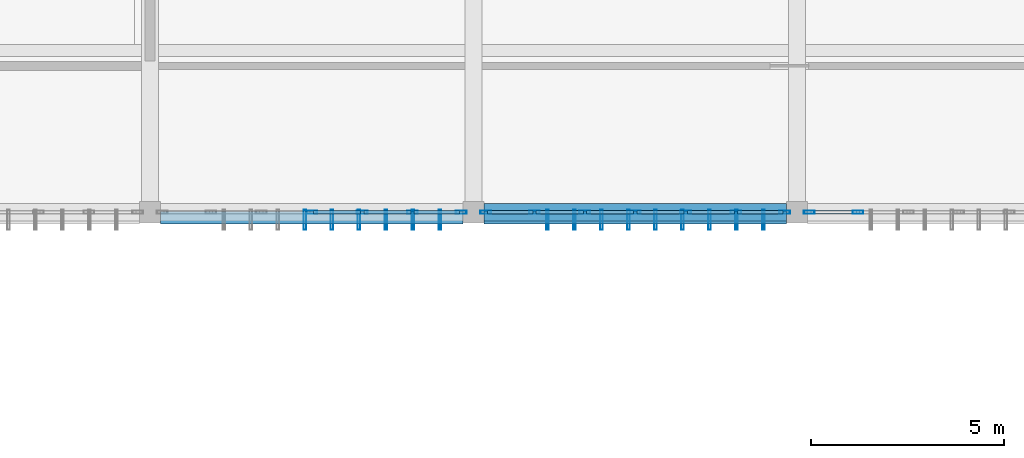
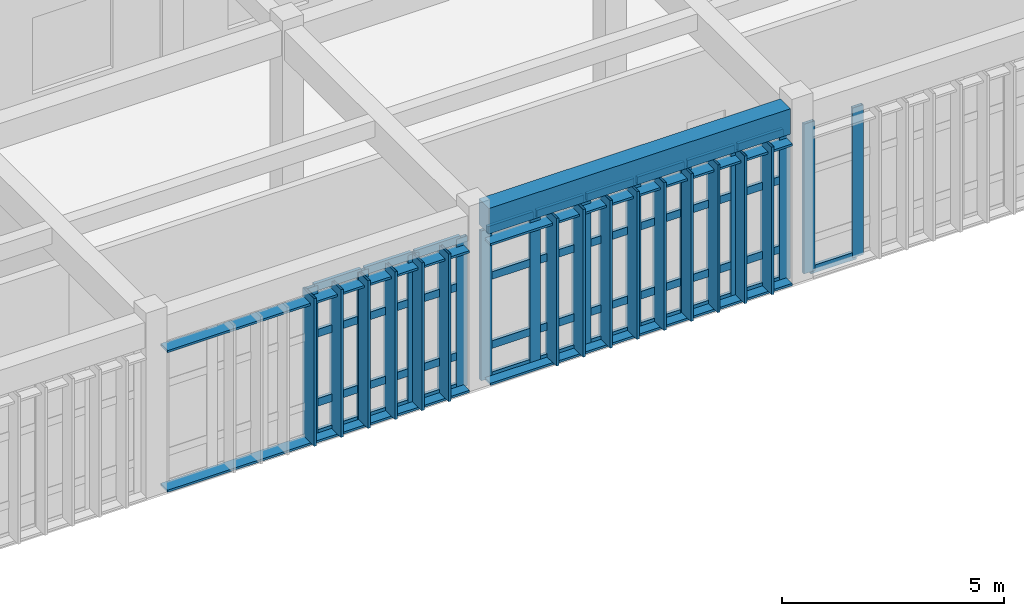
# One storey, part 48 of 106: 69 members, 1 beam, 3 elements without a shape of their own.
"""IFC4 building model written with IfcOpenShell, lengths in metres."""

from ifc_helpers import new_model, si_unit, direction, frame, origin, origin_2d, place, context, subcontext, project, spatial, rectangle, hollow_rectangle, extrude, material, layer, layer_set, material_profile, profile_set, type_object, element, aggregate, save


model = new_model("IFC4")

# Units and contexts
model_context = context("Model", 3, precision=1e-05, world=origin(), true_north=direction((0.0, 1.0)))
body_context = subcontext(model_context, "Body", "Model", "MODEL_VIEW")
ifc_project = project(units=[si_unit("LENGTHUNIT", "METRE"), si_unit("AREAUNIT", "SQUARE_METRE"), si_unit("VOLUMEUNIT", "CUBIC_METRE"), si_unit("PLANEANGLEUNIT", "RADIAN"), si_unit("MASSUNIT", "GRAM", prefix="KILO")], contexts=[model_context])

# Site, building, storey
site_placement = place(None, origin())
site = spatial("IfcSite", under=ifc_project, at=site_placement, CompositionType="ELEMENT")
building_placement = place(site_placement, origin())
building = spatial("IfcBuilding", under=site, at=building_placement, Name="Krzemoval Escarpment Law Courts", CompositionType="ELEMENT")
storey_placement = place(building_placement, frame((0.0, 0.0, 5.10009765625)))
storey = spatial("IfcBuildingStorey", under=building, at=storey_placement, Name="L01", CompositionType="ELEMENT", Elevation=5.10009765625)

# Beam
ifc_material_1 = material(Name="Concrete C40/50", Category="concrete")
ifc_material_profile_1 = material_profile(ifc_material_1, rectangle(XDim=0.449951171875, YDim=0.699951171875, at=origin_2d()), Name="RCB 450x700")
ifc_profile_set_1 = profile_set([ifc_material_profile_1], Name="Concrete C40/50")
beam_type = type_object("IfcBeamType", Name="BM-RC-450x700", PredefinedType="BEAM", material=ifc_profile_set_1)
beam_placement = place(storey_placement, frame((101.074951171875, 99.60009765625, 4.469970703125), z_axis=(1.0, 0.0, 0.0), x_axis=(0.0, 1.0, 0.0)))
element("IfcBeam", 1, at=beam_placement, inside=storey, type_object=beam_type, Name="Beam FG-L01-1311", PredefinedType="BEAM", context=body_context, shape_type="SweptSolid", body=[
    extrude(rectangle(XDim=0.449951171875, YDim=0.699951171875, at=origin_2d()), origin(), (0.0, 0.0, 1.0), 7.85009765625),
])

# Curtain wall, members
ifc_material_2 = material(Name="Aluminium 6063-T6", Category="aluminium")
ifc_layer = layer(ifc_material_2, 0.280029296875)
ifc_layer_set = layer_set([ifc_layer], Name="Aluminium 6063-T6")
curtain_wall_type = type_object("IfcCurtainWallType", Name="CW-HALL-5100", PredefinedType="USERDEFINED", material=ifc_layer_set)
curtain_wall_1_placement = place(storey_placement, origin())
curtain_wall_1 = element("IfcCurtainWall", 2, at=curtain_wall_1_placement, inside=storey, type_object=curtain_wall_type, Name="Unitised Curtain Wall FCW-L01-047", ObjectType="UNITISED_CURTAIN_WALL", PredefinedType="USERDEFINED")
ifc_material_3 = material(Name="Aluminium 6063-T6", Category="aluminium")
ifc_material_profile_2 = material_profile(ifc_material_3, hollow_rectangle(XDim=0.0849609375, YDim=0.280029296875, WallThickness=0.005615234375, at=origin_2d()), Name="ALU M85x280")
ifc_profile_set_2 = profile_set([ifc_material_profile_2], Name="Aluminium 6063-T6")
member_type_1 = type_object("IfcMemberType", Name="CWM-85x280", PredefinedType="MULLION", material=ifc_profile_set_2)
member_1_placement = place(storey_placement, frame((110.783447265625, 99.60009765625, 0.0), z_axis=(0.0, 0.0, 1.0), x_axis=(0.0, -1.0, 0.0)))
member_1 = element("IfcMember", 3, at=member_1_placement, type_object=member_type_1, Name="FCW-L01-047 mullion 6", PredefinedType="MULLION", context=body_context, shape_type="SweptSolid", body=[
    extrude(hollow_rectangle(XDim=0.0849609375, YDim=0.280029296875, WallThickness=0.005615234375, at=origin_2d()), origin(), (0.0, 0.0, 1.0), 4.119873046875),
])
member_2_placement = place(storey_placement, frame((109.517578125, 99.60009765625, 0.0), z_axis=(0.0, 0.0, 1.0), x_axis=(0.0, -1.0, 0.0)))
member_2 = element("IfcMember", 4, at=member_2_placement, type_object=member_type_1, Name="FCW-L01-047 mullion 7", PredefinedType="MULLION", context=body_context, shape_type="SweptSolid", body=[
    extrude(hollow_rectangle(XDim=0.0849609375, YDim=0.280029296875, WallThickness=0.005615234375, at=origin_2d()), origin(), (0.0, 0.0, 1.0), 4.119873046875),
])

curtain_wall_2_placement = place(storey_placement, origin())
curtain_wall_2 = element("IfcCurtainWall", 5, at=curtain_wall_2_placement, inside=storey, type_object=curtain_wall_type, Name="Unitised Curtain Wall FCW-L01-048", ObjectType="UNITISED_CURTAIN_WALL", PredefinedType="USERDEFINED")
member_3_placement = place(storey_placement, frame((108.882568359375, 99.60009765625, 0.0), z_axis=(0.0, 0.0, 1.0), x_axis=(0.0, -1.0, 0.0)))
member_3 = element("IfcMember", 6, at=member_3_placement, type_object=member_type_1, Name="FCW-L01-048 mullion 1", PredefinedType="MULLION", context=body_context, shape_type="SweptSolid", body=[
    extrude(hollow_rectangle(XDim=0.0849609375, YDim=0.280029296875, WallThickness=0.005615234375, at=origin_2d()), origin(), (0.0, 0.0, 1.0), 4.119873046875),
])
member_4_placement = place(storey_placement, frame((107.61669921875, 99.60009765625, 0.0), z_axis=(0.0, 0.0, 1.0), x_axis=(0.0, -1.0, 0.0)))
member_4 = element("IfcMember", 7, at=member_4_placement, type_object=member_type_1, Name="FCW-L01-048 mullion 2", PredefinedType="MULLION", context=body_context, shape_type="SweptSolid", body=[
    extrude(hollow_rectangle(XDim=0.0849609375, YDim=0.280029296875, WallThickness=0.005615234375, at=origin_2d()), origin(), (0.0, 0.0, 1.0), 4.119873046875),
])
member_5_placement = place(storey_placement, frame((106.308349609375, 99.60009765625, 0.0), z_axis=(0.0, 0.0, 1.0), x_axis=(0.0, -1.0, 0.0)))
member_5 = element("IfcMember", 8, at=member_5_placement, type_object=member_type_1, Name="FCW-L01-048 mullion 3", PredefinedType="MULLION", context=body_context, shape_type="SweptSolid", body=[
    extrude(hollow_rectangle(XDim=0.0849609375, YDim=0.280029296875, WallThickness=0.005615234375, at=origin_2d()), origin(), (0.0, 0.0, 1.0), 4.119873046875),
])
member_6_placement = place(storey_placement, frame((105.0, 99.60009765625, 0.0), z_axis=(0.0, 0.0, 1.0), x_axis=(0.0, -1.0, 0.0)))
member_6 = element("IfcMember", 9, at=member_6_placement, type_object=member_type_1, Name="FCW-L01-048 mullion 4", PredefinedType="MULLION", context=body_context, shape_type="SweptSolid", body=[
    extrude(hollow_rectangle(XDim=0.0849609375, YDim=0.280029296875, WallThickness=0.005615234375, at=origin_2d()), origin(), (0.0, 0.0, 1.0), 4.119873046875),
])
member_7_placement = place(storey_placement, frame((103.691650390625, 99.60009765625, 0.0), z_axis=(0.0, 0.0, 1.0), x_axis=(0.0, -1.0, 0.0)))
member_7 = element("IfcMember", 10, at=member_7_placement, type_object=member_type_1, Name="FCW-L01-048 mullion 5", PredefinedType="MULLION", context=body_context, shape_type="SweptSolid", body=[
    extrude(hollow_rectangle(XDim=0.0849609375, YDim=0.280029296875, WallThickness=0.005615234375, at=origin_2d()), origin(), (0.0, 0.0, 1.0), 4.119873046875),
])
member_8_placement = place(storey_placement, frame((102.38330078125, 99.60009765625, 0.0), z_axis=(0.0, 0.0, 1.0), x_axis=(0.0, -1.0, 0.0)))
member_8 = element("IfcMember", 11, at=member_8_placement, type_object=member_type_1, Name="FCW-L01-048 mullion 6", PredefinedType="MULLION", context=body_context, shape_type="SweptSolid", body=[
    extrude(hollow_rectangle(XDim=0.0849609375, YDim=0.280029296875, WallThickness=0.005615234375, at=origin_2d()), origin(), (0.0, 0.0, 1.0), 4.119873046875),
])
member_9_placement = place(storey_placement, frame((101.117431640625, 99.60009765625, 0.0), z_axis=(0.0, 0.0, 1.0), x_axis=(0.0, -1.0, 0.0)))
member_9 = element("IfcMember", 12, at=member_9_placement, type_object=member_type_1, Name="FCW-L01-048 mullion 7", PredefinedType="MULLION", context=body_context, shape_type="SweptSolid", body=[
    extrude(hollow_rectangle(XDim=0.0849609375, YDim=0.280029296875, WallThickness=0.005615234375, at=origin_2d()), origin(), (0.0, 0.0, 1.0), 4.119873046875),
])

curtain_wall_3_placement = place(storey_placement, origin())
curtain_wall_3 = element("IfcCurtainWall", 13, at=curtain_wall_3_placement, inside=storey, type_object=curtain_wall_type, Name="Unitised Curtain Wall FCW-L01-049", ObjectType="UNITISED_CURTAIN_WALL", PredefinedType="USERDEFINED")
member_10_placement = place(storey_placement, frame((100.482421875, 99.60009765625, 0.0), z_axis=(0.0, 0.0, 1.0), x_axis=(0.0, -1.0, 0.0)))
member_10 = element("IfcMember", 14, at=member_10_placement, type_object=member_type_1, Name="FCW-L01-049 mullion 1", PredefinedType="MULLION", context=body_context, shape_type="SweptSolid", body=[
    extrude(hollow_rectangle(XDim=0.0849609375, YDim=0.280029296875, WallThickness=0.005615234375, at=origin_2d()), origin(), (0.0, 0.0, 1.0), 4.119873046875),
])
member_11_placement = place(storey_placement, frame((99.216552734375, 99.60009765625, 0.0), z_axis=(0.0, 0.0, 1.0), x_axis=(0.0, -1.0, 0.0)))
member_11 = element("IfcMember", 15, at=member_11_placement, type_object=member_type_1, Name="FCW-L01-049 mullion 2", PredefinedType="MULLION", context=body_context, shape_type="SweptSolid", body=[
    extrude(hollow_rectangle(XDim=0.0849609375, YDim=0.280029296875, WallThickness=0.005615234375, at=origin_2d()), origin(), (0.0, 0.0, 1.0), 4.119873046875),
])
member_12_placement = place(storey_placement, frame((97.908447265625, 99.60009765625, 0.0), z_axis=(0.0, 0.0, 1.0), x_axis=(0.0, -1.0, 0.0)))
member_12 = element("IfcMember", 16, at=member_12_placement, type_object=member_type_1, Name="FCW-L01-049 mullion 3", PredefinedType="MULLION", context=body_context, shape_type="SweptSolid", body=[
    extrude(hollow_rectangle(XDim=0.0849609375, YDim=0.280029296875, WallThickness=0.005615234375, at=origin_2d()), origin(), (0.0, 0.0, 1.0), 4.119873046875),
])
member_13_placement = place(storey_placement, frame((96.60009765625, 99.60009765625, 0.0), z_axis=(0.0, 0.0, 1.0), x_axis=(0.0, -1.0, 0.0)))
member_13 = element("IfcMember", 17, at=member_13_placement, type_object=member_type_1, Name="FCW-L01-049 mullion 4", PredefinedType="MULLION", context=body_context, shape_type="SweptSolid", body=[
    extrude(hollow_rectangle(XDim=0.0849609375, YDim=0.280029296875, WallThickness=0.005615234375, at=origin_2d()), origin(), (0.0, 0.0, 1.0), 4.119873046875),
])

# Member
ifc_material_4 = material(Name="Aluminium 6063-T6", Category="aluminium")
ifc_material_profile_3 = material_profile(ifc_material_4, hollow_rectangle(XDim=0.0849609375, YDim=0.2099609375, WallThickness=0.005615234375, at=origin_2d()), Name="ALU T85x210")
ifc_profile_set_3 = profile_set([ifc_material_profile_3], Name="Aluminium 6063-T6")
member_type_2 = type_object("IfcMemberType", Name="CWT-85x210", PredefinedType="USERDEFINED", material=ifc_profile_set_3)
member_14_placement = place(storey_placement, frame((110.74072265625, 99.60009765625, 0.04248046875), z_axis=(-1.0, 0.0, 0.0), x_axis=(0.0, -1.0, 0.0)))
member_14 = element("IfcMember", 18, at=member_14_placement, type_object=member_type_2, Name="FCW-L01-047 transom 6.1", ObjectType="TRANSOM", PredefinedType="USERDEFINED", context=body_context, shape_type="SweptSolid", body=[
    extrude(hollow_rectangle(XDim=0.0849609375, YDim=0.2099609375, WallThickness=0.005615234375, at=origin_2d()), origin(), (0.0, 0.0, 1.0), 1.1806640625),
])

aggregate(curtain_wall_1, [member_1, member_2, member_14])

member_15_placement = place(storey_placement, frame((108.840087890625, 99.60009765625, 0.04248046875), z_axis=(-1.0, 0.0, 0.0), x_axis=(0.0, -1.0, 0.0)))
member_15 = element("IfcMember", 19, at=member_15_placement, type_object=member_type_2, Name="FCW-L01-048 transom 1.1", ObjectType="TRANSOM", PredefinedType="USERDEFINED", context=body_context, shape_type="SweptSolid", body=[
    extrude(hollow_rectangle(XDim=0.0849609375, YDim=0.2099609375, WallThickness=0.005615234375, at=origin_2d()), origin(), (0.0, 0.0, 1.0), 1.180908203125),
])

member_16_placement = place(storey_placement, frame((108.840087890625, 99.60009765625, 0.89990234375), z_axis=(-1.0, 0.0, 0.0), x_axis=(0.0, -1.0, 0.0)))
member_16 = element("IfcMember", 20, at=member_16_placement, type_object=member_type_2, Name="FCW-L01-048 transom 1.2", ObjectType="TRANSOM", PredefinedType="USERDEFINED", context=body_context, shape_type="SweptSolid", body=[
    extrude(hollow_rectangle(XDim=0.0849609375, YDim=0.2099609375, WallThickness=0.005615234375, at=origin_2d()), origin(), (0.0, 0.0, 1.0), 1.180908203125),
])

member_17_placement = place(storey_placement, frame((108.840087890625, 99.60009765625, 2.7998046875), z_axis=(-1.0, 0.0, 0.0), x_axis=(0.0, -1.0, 0.0)))
member_17 = element("IfcMember", 21, at=member_17_placement, type_object=member_type_2, Name="FCW-L01-048 transom 1.3", ObjectType="TRANSOM", PredefinedType="USERDEFINED", context=body_context, shape_type="SweptSolid", body=[
    extrude(hollow_rectangle(XDim=0.0849609375, YDim=0.2099609375, WallThickness=0.005615234375, at=origin_2d()), origin(), (0.0, 0.0, 1.0), 1.180908203125),
])

member_18_placement = place(storey_placement, frame((108.840087890625, 99.60009765625, 4.077392578125), z_axis=(-1.0, 0.0, 0.0), x_axis=(0.0, -1.0, 0.0)))
member_18 = element("IfcMember", 22, at=member_18_placement, type_object=member_type_2, Name="FCW-L01-048 transom 1.4", ObjectType="TRANSOM", PredefinedType="USERDEFINED", context=body_context, shape_type="SweptSolid", body=[
    extrude(hollow_rectangle(XDim=0.0849609375, YDim=0.2099609375, WallThickness=0.005615234375, at=origin_2d()), origin(), (0.0, 0.0, 1.0), 1.180908203125),
])

member_19_placement = place(storey_placement, frame((107.57421875, 99.60009765625, 0.04248046875), z_axis=(-1.0, 0.0, 0.0), x_axis=(0.0, -1.0, 0.0)))
member_19 = element("IfcMember", 23, at=member_19_placement, type_object=member_type_2, Name="FCW-L01-048 transom 2.1", ObjectType="TRANSOM", PredefinedType="USERDEFINED", context=body_context, shape_type="SweptSolid", body=[
    extrude(hollow_rectangle(XDim=0.0849609375, YDim=0.2099609375, WallThickness=0.005615234375, at=origin_2d()), origin(), (0.0, 0.0, 1.0), 1.223388671875),
])

member_20_placement = place(storey_placement, frame((107.57421875, 99.60009765625, 0.89990234375), z_axis=(-1.0, 0.0, 0.0), x_axis=(0.0, -1.0, 0.0)))
member_20 = element("IfcMember", 24, at=member_20_placement, type_object=member_type_2, Name="FCW-L01-048 transom 2.2", ObjectType="TRANSOM", PredefinedType="USERDEFINED", context=body_context, shape_type="SweptSolid", body=[
    extrude(hollow_rectangle(XDim=0.0849609375, YDim=0.2099609375, WallThickness=0.005615234375, at=origin_2d()), origin(), (0.0, 0.0, 1.0), 1.223388671875),
])

member_21_placement = place(storey_placement, frame((107.57421875, 99.60009765625, 2.7998046875), z_axis=(-1.0, 0.0, 0.0), x_axis=(0.0, -1.0, 0.0)))
member_21 = element("IfcMember", 25, at=member_21_placement, type_object=member_type_2, Name="FCW-L01-048 transom 2.3", ObjectType="TRANSOM", PredefinedType="USERDEFINED", context=body_context, shape_type="SweptSolid", body=[
    extrude(hollow_rectangle(XDim=0.0849609375, YDim=0.2099609375, WallThickness=0.005615234375, at=origin_2d()), origin(), (0.0, 0.0, 1.0), 1.223388671875),
])

member_22_placement = place(storey_placement, frame((107.57421875, 99.60009765625, 4.077392578125), z_axis=(-1.0, 0.0, 0.0), x_axis=(0.0, -1.0, 0.0)))
member_22 = element("IfcMember", 26, at=member_22_placement, type_object=member_type_2, Name="FCW-L01-048 transom 2.4", ObjectType="TRANSOM", PredefinedType="USERDEFINED", context=body_context, shape_type="SweptSolid", body=[
    extrude(hollow_rectangle(XDim=0.0849609375, YDim=0.2099609375, WallThickness=0.005615234375, at=origin_2d()), origin(), (0.0, 0.0, 1.0), 1.223388671875),
])

member_23_placement = place(storey_placement, frame((106.265869140625, 99.60009765625, 0.04248046875), z_axis=(-1.0, 0.0, 0.0), x_axis=(0.0, -1.0, 0.0)))
member_23 = element("IfcMember", 27, at=member_23_placement, type_object=member_type_2, Name="FCW-L01-048 transom 3.1", ObjectType="TRANSOM", PredefinedType="USERDEFINED", context=body_context, shape_type="SweptSolid", body=[
    extrude(hollow_rectangle(XDim=0.0849609375, YDim=0.2099609375, WallThickness=0.005615234375, at=origin_2d()), origin(), (0.0, 0.0, 1.0), 1.223388671875),
])

member_24_placement = place(storey_placement, frame((106.265869140625, 99.60009765625, 0.89990234375), z_axis=(-1.0, 0.0, 0.0), x_axis=(0.0, -1.0, 0.0)))
member_24 = element("IfcMember", 28, at=member_24_placement, type_object=member_type_2, Name="FCW-L01-048 transom 3.2", ObjectType="TRANSOM", PredefinedType="USERDEFINED", context=body_context, shape_type="SweptSolid", body=[
    extrude(hollow_rectangle(XDim=0.0849609375, YDim=0.2099609375, WallThickness=0.005615234375, at=origin_2d()), origin(), (0.0, 0.0, 1.0), 1.223388671875),
])

member_25_placement = place(storey_placement, frame((106.265869140625, 99.60009765625, 2.7998046875), z_axis=(-1.0, 0.0, 0.0), x_axis=(0.0, -1.0, 0.0)))
member_25 = element("IfcMember", 29, at=member_25_placement, type_object=member_type_2, Name="FCW-L01-048 transom 3.3", ObjectType="TRANSOM", PredefinedType="USERDEFINED", context=body_context, shape_type="SweptSolid", body=[
    extrude(hollow_rectangle(XDim=0.0849609375, YDim=0.2099609375, WallThickness=0.005615234375, at=origin_2d()), origin(), (0.0, 0.0, 1.0), 1.223388671875),
])

member_26_placement = place(storey_placement, frame((106.265869140625, 99.60009765625, 4.077392578125), z_axis=(-1.0, 0.0, 0.0), x_axis=(0.0, -1.0, 0.0)))
member_26 = element("IfcMember", 30, at=member_26_placement, type_object=member_type_2, Name="FCW-L01-048 transom 3.4", ObjectType="TRANSOM", PredefinedType="USERDEFINED", context=body_context, shape_type="SweptSolid", body=[
    extrude(hollow_rectangle(XDim=0.0849609375, YDim=0.2099609375, WallThickness=0.005615234375, at=origin_2d()), origin(), (0.0, 0.0, 1.0), 1.223388671875),
])

member_27_placement = place(storey_placement, frame((104.95751953125, 99.60009765625, 0.04248046875), z_axis=(-1.0, 0.0, 0.0), x_axis=(0.0, -1.0, 0.0)))
member_27 = element("IfcMember", 31, at=member_27_placement, type_object=member_type_2, Name="FCW-L01-048 transom 4.1", ObjectType="TRANSOM", PredefinedType="USERDEFINED", context=body_context, shape_type="SweptSolid", body=[
    extrude(hollow_rectangle(XDim=0.0849609375, YDim=0.2099609375, WallThickness=0.005615234375, at=origin_2d()), origin(), (0.0, 0.0, 1.0), 1.223388671875),
])

member_28_placement = place(storey_placement, frame((104.95751953125, 99.60009765625, 0.89990234375), z_axis=(-1.0, 0.0, 0.0), x_axis=(0.0, -1.0, 0.0)))
member_28 = element("IfcMember", 32, at=member_28_placement, type_object=member_type_2, Name="FCW-L01-048 transom 4.2", ObjectType="TRANSOM", PredefinedType="USERDEFINED", context=body_context, shape_type="SweptSolid", body=[
    extrude(hollow_rectangle(XDim=0.0849609375, YDim=0.2099609375, WallThickness=0.005615234375, at=origin_2d()), origin(), (0.0, 0.0, 1.0), 1.223388671875),
])

member_29_placement = place(storey_placement, frame((104.95751953125, 99.60009765625, 2.7998046875), z_axis=(-1.0, 0.0, 0.0), x_axis=(0.0, -1.0, 0.0)))
member_29 = element("IfcMember", 33, at=member_29_placement, type_object=member_type_2, Name="FCW-L01-048 transom 4.3", ObjectType="TRANSOM", PredefinedType="USERDEFINED", context=body_context, shape_type="SweptSolid", body=[
    extrude(hollow_rectangle(XDim=0.0849609375, YDim=0.2099609375, WallThickness=0.005615234375, at=origin_2d()), origin(), (0.0, 0.0, 1.0), 1.223388671875),
])

member_30_placement = place(storey_placement, frame((104.95751953125, 99.60009765625, 4.077392578125), z_axis=(-1.0, 0.0, 0.0), x_axis=(0.0, -1.0, 0.0)))
member_30 = element("IfcMember", 34, at=member_30_placement, type_object=member_type_2, Name="FCW-L01-048 transom 4.4", ObjectType="TRANSOM", PredefinedType="USERDEFINED", context=body_context, shape_type="SweptSolid", body=[
    extrude(hollow_rectangle(XDim=0.0849609375, YDim=0.2099609375, WallThickness=0.005615234375, at=origin_2d()), origin(), (0.0, 0.0, 1.0), 1.223388671875),
])

member_31_placement = place(storey_placement, frame((103.649169921875, 99.60009765625, 0.04248046875), z_axis=(-1.0, 0.0, 0.0), x_axis=(0.0, -1.0, 0.0)))
member_31 = element("IfcMember", 35, at=member_31_placement, type_object=member_type_2, Name="FCW-L01-048 transom 5.1", ObjectType="TRANSOM", PredefinedType="USERDEFINED", context=body_context, shape_type="SweptSolid", body=[
    extrude(hollow_rectangle(XDim=0.0849609375, YDim=0.2099609375, WallThickness=0.005615234375, at=origin_2d()), origin(), (0.0, 0.0, 1.0), 1.223388671875),
])

member_32_placement = place(storey_placement, frame((103.649169921875, 99.60009765625, 0.89990234375), z_axis=(-1.0, 0.0, 0.0), x_axis=(0.0, -1.0, 0.0)))
member_32 = element("IfcMember", 36, at=member_32_placement, type_object=member_type_2, Name="FCW-L01-048 transom 5.2", ObjectType="TRANSOM", PredefinedType="USERDEFINED", context=body_context, shape_type="SweptSolid", body=[
    extrude(hollow_rectangle(XDim=0.0849609375, YDim=0.2099609375, WallThickness=0.005615234375, at=origin_2d()), origin(), (0.0, 0.0, 1.0), 1.223388671875),
])

member_33_placement = place(storey_placement, frame((103.649169921875, 99.60009765625, 2.7998046875), z_axis=(-1.0, 0.0, 0.0), x_axis=(0.0, -1.0, 0.0)))
member_33 = element("IfcMember", 37, at=member_33_placement, type_object=member_type_2, Name="FCW-L01-048 transom 5.3", ObjectType="TRANSOM", PredefinedType="USERDEFINED", context=body_context, shape_type="SweptSolid", body=[
    extrude(hollow_rectangle(XDim=0.0849609375, YDim=0.2099609375, WallThickness=0.005615234375, at=origin_2d()), origin(), (0.0, 0.0, 1.0), 1.223388671875),
])

member_34_placement = place(storey_placement, frame((103.649169921875, 99.60009765625, 4.077392578125), z_axis=(-1.0, 0.0, 0.0), x_axis=(0.0, -1.0, 0.0)))
member_34 = element("IfcMember", 38, at=member_34_placement, type_object=member_type_2, Name="FCW-L01-048 transom 5.4", ObjectType="TRANSOM", PredefinedType="USERDEFINED", context=body_context, shape_type="SweptSolid", body=[
    extrude(hollow_rectangle(XDim=0.0849609375, YDim=0.2099609375, WallThickness=0.005615234375, at=origin_2d()), origin(), (0.0, 0.0, 1.0), 1.223388671875),
])

member_35_placement = place(storey_placement, frame((102.3408203125, 99.60009765625, 0.04248046875), z_axis=(-1.0, 0.0, 0.0), x_axis=(0.0, -1.0, 0.0)))
member_35 = element("IfcMember", 39, at=member_35_placement, type_object=member_type_2, Name="FCW-L01-048 transom 6.1", ObjectType="TRANSOM", PredefinedType="USERDEFINED", context=body_context, shape_type="SweptSolid", body=[
    extrude(hollow_rectangle(XDim=0.0849609375, YDim=0.2099609375, WallThickness=0.005615234375, at=origin_2d()), origin(), (0.0, 0.0, 1.0), 1.180908203125),
])

member_36_placement = place(storey_placement, frame((102.3408203125, 99.60009765625, 0.89990234375), z_axis=(-1.0, 0.0, 0.0), x_axis=(0.0, -1.0, 0.0)))
member_36 = element("IfcMember", 40, at=member_36_placement, type_object=member_type_2, Name="FCW-L01-048 transom 6.2", ObjectType="TRANSOM", PredefinedType="USERDEFINED", context=body_context, shape_type="SweptSolid", body=[
    extrude(hollow_rectangle(XDim=0.0849609375, YDim=0.2099609375, WallThickness=0.005615234375, at=origin_2d()), origin(), (0.0, 0.0, 1.0), 1.180908203125),
])

member_37_placement = place(storey_placement, frame((102.3408203125, 99.60009765625, 2.7998046875), z_axis=(-1.0, 0.0, 0.0), x_axis=(0.0, -1.0, 0.0)))
member_37 = element("IfcMember", 41, at=member_37_placement, type_object=member_type_2, Name="FCW-L01-048 transom 6.3", ObjectType="TRANSOM", PredefinedType="USERDEFINED", context=body_context, shape_type="SweptSolid", body=[
    extrude(hollow_rectangle(XDim=0.0849609375, YDim=0.2099609375, WallThickness=0.005615234375, at=origin_2d()), origin(), (0.0, 0.0, 1.0), 1.180908203125),
])

member_38_placement = place(storey_placement, frame((102.3408203125, 99.60009765625, 4.077392578125), z_axis=(-1.0, 0.0, 0.0), x_axis=(0.0, -1.0, 0.0)))
member_38 = element("IfcMember", 42, at=member_38_placement, type_object=member_type_2, Name="FCW-L01-048 transom 6.4", ObjectType="TRANSOM", PredefinedType="USERDEFINED", context=body_context, shape_type="SweptSolid", body=[
    extrude(hollow_rectangle(XDim=0.0849609375, YDim=0.2099609375, WallThickness=0.005615234375, at=origin_2d()), origin(), (0.0, 0.0, 1.0), 1.180908203125),
])

aggregate(curtain_wall_2, [member_3, member_4, member_5, member_6, member_7, member_8, member_9, member_15, member_16, member_17, member_18, member_19, member_20, member_21, member_22, member_23, member_24, member_25, member_26, member_27, member_28, member_29, member_30, member_31, member_32, member_33, member_34, member_35, member_36, member_37, member_38])

member_39_placement = place(storey_placement, frame((100.43994140625, 99.60009765625, 0.04248046875), z_axis=(-1.0, 0.0, 0.0), x_axis=(0.0, -1.0, 0.0)))
member_39 = element("IfcMember", 43, at=member_39_placement, type_object=member_type_2, Name="FCW-L01-049 transom 1.1", ObjectType="TRANSOM", PredefinedType="USERDEFINED", context=body_context, shape_type="SweptSolid", body=[
    extrude(hollow_rectangle(XDim=0.0849609375, YDim=0.2099609375, WallThickness=0.005615234375, at=origin_2d()), origin(), (0.0, 0.0, 1.0), 1.1806640625),
])

member_40_placement = place(storey_placement, frame((100.43994140625, 99.60009765625, 0.89990234375), z_axis=(-1.0, 0.0, 0.0), x_axis=(0.0, -1.0, 0.0)))
member_40 = element("IfcMember", 44, at=member_40_placement, type_object=member_type_2, Name="FCW-L01-049 transom 1.2", ObjectType="TRANSOM", PredefinedType="USERDEFINED", context=body_context, shape_type="SweptSolid", body=[
    extrude(hollow_rectangle(XDim=0.0849609375, YDim=0.2099609375, WallThickness=0.005615234375, at=origin_2d()), origin(), (0.0, 0.0, 1.0), 1.1806640625),
])

member_41_placement = place(storey_placement, frame((100.43994140625, 99.60009765625, 2.7998046875), z_axis=(-1.0, 0.0, 0.0), x_axis=(0.0, -1.0, 0.0)))
member_41 = element("IfcMember", 45, at=member_41_placement, type_object=member_type_2, Name="FCW-L01-049 transom 1.3", ObjectType="TRANSOM", PredefinedType="USERDEFINED", context=body_context, shape_type="SweptSolid", body=[
    extrude(hollow_rectangle(XDim=0.0849609375, YDim=0.2099609375, WallThickness=0.005615234375, at=origin_2d()), origin(), (0.0, 0.0, 1.0), 1.1806640625),
])

member_42_placement = place(storey_placement, frame((100.43994140625, 99.60009765625, 4.077392578125), z_axis=(-1.0, 0.0, 0.0), x_axis=(0.0, -1.0, 0.0)))
member_42 = element("IfcMember", 46, at=member_42_placement, type_object=member_type_2, Name="FCW-L01-049 transom 1.4", ObjectType="TRANSOM", PredefinedType="USERDEFINED", context=body_context, shape_type="SweptSolid", body=[
    extrude(hollow_rectangle(XDim=0.0849609375, YDim=0.2099609375, WallThickness=0.005615234375, at=origin_2d()), origin(), (0.0, 0.0, 1.0), 1.1806640625),
])

member_43_placement = place(storey_placement, frame((99.174072265625, 99.60009765625, 0.04248046875), z_axis=(-1.0, 0.0, 0.0), x_axis=(0.0, -1.0, 0.0)))
member_43 = element("IfcMember", 47, at=member_43_placement, type_object=member_type_2, Name="FCW-L01-049 transom 2.1", ObjectType="TRANSOM", PredefinedType="USERDEFINED", context=body_context, shape_type="SweptSolid", body=[
    extrude(hollow_rectangle(XDim=0.0849609375, YDim=0.2099609375, WallThickness=0.005615234375, at=origin_2d()), origin(), (0.0, 0.0, 1.0), 1.22314453125),
])

member_44_placement = place(storey_placement, frame((99.174072265625, 99.60009765625, 0.89990234375), z_axis=(-1.0, 0.0, 0.0), x_axis=(0.0, -1.0, 0.0)))
member_44 = element("IfcMember", 48, at=member_44_placement, type_object=member_type_2, Name="FCW-L01-049 transom 2.2", ObjectType="TRANSOM", PredefinedType="USERDEFINED", context=body_context, shape_type="SweptSolid", body=[
    extrude(hollow_rectangle(XDim=0.0849609375, YDim=0.2099609375, WallThickness=0.005615234375, at=origin_2d()), origin(), (0.0, 0.0, 1.0), 1.22314453125),
])

member_45_placement = place(storey_placement, frame((99.174072265625, 99.60009765625, 2.7998046875), z_axis=(-1.0, 0.0, 0.0), x_axis=(0.0, -1.0, 0.0)))
member_45 = element("IfcMember", 49, at=member_45_placement, type_object=member_type_2, Name="FCW-L01-049 transom 2.3", ObjectType="TRANSOM", PredefinedType="USERDEFINED", context=body_context, shape_type="SweptSolid", body=[
    extrude(hollow_rectangle(XDim=0.0849609375, YDim=0.2099609375, WallThickness=0.005615234375, at=origin_2d()), origin(), (0.0, 0.0, 1.0), 1.22314453125),
])

member_46_placement = place(storey_placement, frame((99.174072265625, 99.60009765625, 4.077392578125), z_axis=(-1.0, 0.0, 0.0), x_axis=(0.0, -1.0, 0.0)))
member_46 = element("IfcMember", 50, at=member_46_placement, type_object=member_type_2, Name="FCW-L01-049 transom 2.4", ObjectType="TRANSOM", PredefinedType="USERDEFINED", context=body_context, shape_type="SweptSolid", body=[
    extrude(hollow_rectangle(XDim=0.0849609375, YDim=0.2099609375, WallThickness=0.005615234375, at=origin_2d()), origin(), (0.0, 0.0, 1.0), 1.22314453125),
])

member_47_placement = place(storey_placement, frame((97.86572265625, 99.60009765625, 0.04248046875), z_axis=(-1.0, 0.0, 0.0), x_axis=(0.0, -1.0, 0.0)))
member_47 = element("IfcMember", 51, at=member_47_placement, type_object=member_type_2, Name="FCW-L01-049 transom 3.1", ObjectType="TRANSOM", PredefinedType="USERDEFINED", context=body_context, shape_type="SweptSolid", body=[
    extrude(hollow_rectangle(XDim=0.0849609375, YDim=0.2099609375, WallThickness=0.005615234375, at=origin_2d()), origin(), (0.0, 0.0, 1.0), 1.22314453125),
])

member_48_placement = place(storey_placement, frame((97.86572265625, 99.60009765625, 0.89990234375), z_axis=(-1.0, 0.0, 0.0), x_axis=(0.0, -1.0, 0.0)))
member_48 = element("IfcMember", 52, at=member_48_placement, type_object=member_type_2, Name="FCW-L01-049 transom 3.2", ObjectType="TRANSOM", PredefinedType="USERDEFINED", context=body_context, shape_type="SweptSolid", body=[
    extrude(hollow_rectangle(XDim=0.0849609375, YDim=0.2099609375, WallThickness=0.005615234375, at=origin_2d()), origin(), (0.0, 0.0, 1.0), 1.22314453125),
])

member_49_placement = place(storey_placement, frame((97.86572265625, 99.60009765625, 2.7998046875), z_axis=(-1.0, 0.0, 0.0), x_axis=(0.0, -1.0, 0.0)))
member_49 = element("IfcMember", 53, at=member_49_placement, type_object=member_type_2, Name="FCW-L01-049 transom 3.3", ObjectType="TRANSOM", PredefinedType="USERDEFINED", context=body_context, shape_type="SweptSolid", body=[
    extrude(hollow_rectangle(XDim=0.0849609375, YDim=0.2099609375, WallThickness=0.005615234375, at=origin_2d()), origin(), (0.0, 0.0, 1.0), 1.22314453125),
])

member_50_placement = place(storey_placement, frame((97.86572265625, 99.60009765625, 4.077392578125), z_axis=(-1.0, 0.0, 0.0), x_axis=(0.0, -1.0, 0.0)))
member_50 = element("IfcMember", 54, at=member_50_placement, type_object=member_type_2, Name="FCW-L01-049 transom 3.4", ObjectType="TRANSOM", PredefinedType="USERDEFINED", context=body_context, shape_type="SweptSolid", body=[
    extrude(hollow_rectangle(XDim=0.0849609375, YDim=0.2099609375, WallThickness=0.005615234375, at=origin_2d()), origin(), (0.0, 0.0, 1.0), 1.22314453125),
])

aggregate(curtain_wall_3, [member_10, member_11, member_12, member_13, member_39, member_40, member_41, member_42, member_43, member_44, member_45, member_46, member_47, member_48, member_49, member_50])

# Members
ifc_material_5 = material(Name="Anodised Aluminium Alloy 6063-T6", Category="aluminium")
ifc_material_profile_4 = material_profile(ifc_material_5, hollow_rectangle(XDim=0.06005859375, YDim=0.320068359375, WallThickness=0.00390625, at=origin_2d()), Name="ALU LVR 60x320")
ifc_profile_set_4 = profile_set([ifc_material_profile_4], Name="Anodised Aluminium Alloy 6063-T6")
member_type_3 = type_object("IfcMemberType", Name="LVR-ALU-320", PredefinedType="USERDEFINED", material=ifc_profile_set_4)
for number, where, z_axis, x_axis, name in (
    (55, (108.925048828125, 99.4599609375, 0.02978515625), (-1.0, 0.0, 0.0), (0.0, 0.0, 1.0), "Sunshade Support Rail FSR-L01-0202"),
    (56, (108.925048828125, 99.4599609375, 3.869873046875), (-1.0, 0.0, 0.0), (0.0, 0.0, 1.0), "Sunshade Support Rail FSR-L01-0203"),
):
    element("IfcMember", number, at=place(storey_placement, frame(where, z_axis=z_axis, x_axis=x_axis)), inside=storey, type_object=member_type_3, Name=name, ObjectType="SUNSHADE_LOUVRE", PredefinedType="USERDEFINED", context=body_context, shape_type="SweptSolid", body=[
        extrude(hollow_rectangle(XDim=0.06005859375, YDim=0.320068359375, WallThickness=0.00390625, at=origin_2d()), origin(), (0.0, 0.0, 1.0), 7.85009765625),
    ])
for number, where, z_axis, x_axis, name in (
    (57, (100.52490234375, 99.4599609375, 0.02978515625), (-1.0, 0.0, 0.0), (0.0, 0.0, 1.0), "Sunshade Support Rail FSR-L01-0213"),
    (58, (100.52490234375, 99.4599609375, 3.869873046875), (-1.0, 0.0, 0.0), (0.0, 0.0, 1.0), "Sunshade Support Rail FSR-L01-0214"),
):
    element("IfcMember", number, at=place(storey_placement, frame(where, z_axis=z_axis, x_axis=x_axis)), inside=storey, type_object=member_type_3, Name=name, ObjectType="SUNSHADE_LOUVRE", PredefinedType="USERDEFINED", context=body_context, shape_type="SweptSolid", body=[
        extrude(hollow_rectangle(XDim=0.06005859375, YDim=0.320068359375, WallThickness=0.00390625, at=origin_2d()), origin(), (0.0, 0.0, 1.0), 7.849853515625),
    ])
ifc_material_6 = material(Name="Anodised Aluminium Alloy 6063-T6", Category="aluminium")
ifc_material_profile_5 = material_profile(ifc_material_6, hollow_rectangle(XDim=0.06494140625, YDim=0.52001953125, WallThickness=0.00439453125, at=origin_2d()), Name="ALU LVR 65x520")
ifc_profile_set_5 = profile_set([ifc_material_profile_5], Name="Anodised Aluminium Alloy 6063-T6")
member_type_4 = type_object("IfcMemberType", Name="LVR-ALU-520", PredefinedType="USERDEFINED", material=ifc_profile_set_5)
for number, where, z_axis, x_axis, name in (
    (59, (108.324951171875, 99.39990234375, 0.059814453125), (0.0, 0.0, 1.0), (1.0, 0.0, 0.0), "Sunshade Louvre Fin FLV-L01-0204"),
    (60, (107.625, 99.39990234375, 0.059814453125), (0.0, 0.0, 1.0), (1.0, 0.0, 0.0), "Sunshade Louvre Fin FLV-L01-0205"),
    (61, (106.925048828125, 99.39990234375, 0.059814453125), (0.0, 0.0, 1.0), (1.0, 0.0, 0.0), "Sunshade Louvre Fin FLV-L01-0206"),
    (62, (106.22509765625, 99.39990234375, 0.059814453125), (0.0, 0.0, 1.0), (1.0, 0.0, 0.0), "Sunshade Louvre Fin FLV-L01-0207"),
    (63, (105.52490234375, 99.39990234375, 0.059814453125), (0.0, 0.0, 1.0), (1.0, 0.0, 0.0), "Sunshade Louvre Fin FLV-L01-0208"),
    (64, (104.824951171875, 99.39990234375, 0.059814453125), (0.0, 0.0, 1.0), (1.0, 0.0, 0.0), "Sunshade Louvre Fin FLV-L01-0209"),
    (65, (104.125, 99.39990234375, 0.059814453125), (0.0, 0.0, 1.0), (1.0, 0.0, 0.0), "Sunshade Louvre Fin FLV-L01-0210"),
    (66, (103.425048828125, 99.39990234375, 0.059814453125), (0.0, 0.0, 1.0), (1.0, 0.0, 0.0), "Sunshade Louvre Fin FLV-L01-0211"),
    (67, (102.72509765625, 99.39990234375, 0.059814453125), (0.0, 0.0, 1.0), (1.0, 0.0, 0.0), "Sunshade Louvre Fin FLV-L01-0212"),
    (68, (99.925048828125, 99.39990234375, 0.059814453125), (0.0, 0.0, 1.0), (1.0, 0.0, 0.0), "Sunshade Louvre Fin FLV-L01-0215"),
    (69, (99.22509765625, 99.39990234375, 0.059814453125), (0.0, 0.0, 1.0), (1.0, 0.0, 0.0), "Sunshade Louvre Fin FLV-L01-0216"),
    (70, (98.52490234375, 99.39990234375, 0.059814453125), (0.0, 0.0, 1.0), (1.0, 0.0, 0.0), "Sunshade Louvre Fin FLV-L01-0217"),
    (71, (97.824951171875, 99.39990234375, 0.059814453125), (0.0, 0.0, 1.0), (1.0, 0.0, 0.0), "Sunshade Louvre Fin FLV-L01-0218"),
    (72, (97.125, 99.39990234375, 0.059814453125), (0.0, 0.0, 1.0), (1.0, 0.0, 0.0), "Sunshade Louvre Fin FLV-L01-0219"),
    (73, (96.425048828125, 99.39990234375, 0.059814453125), (0.0, 0.0, 1.0), (1.0, 0.0, 0.0), "Sunshade Louvre Fin FLV-L01-0220"),
):
    element("IfcMember", number, at=place(storey_placement, frame(where, z_axis=z_axis, x_axis=x_axis)), inside=storey, type_object=member_type_4, Name=name, ObjectType="SUNSHADE_LOUVRE", PredefinedType="USERDEFINED", context=body_context, shape_type="SweptSolid", body=[
        extrude(hollow_rectangle(XDim=0.06494140625, YDim=0.52001953125, WallThickness=0.00439453125, at=origin_2d()), origin(), (0.0, 0.0, 1.0), 4.06005859375),
    ])

save(model, "model.ifc")
